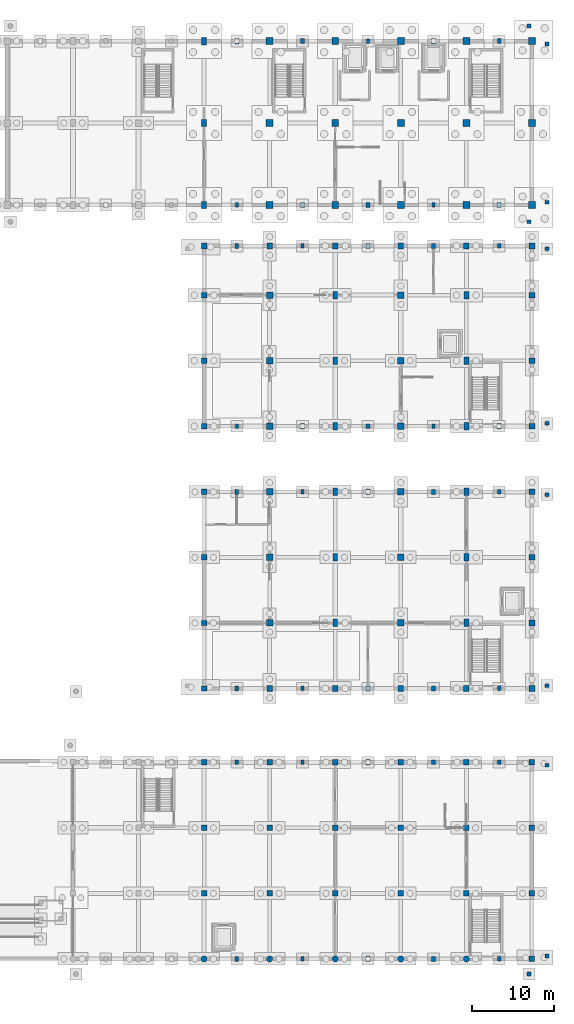
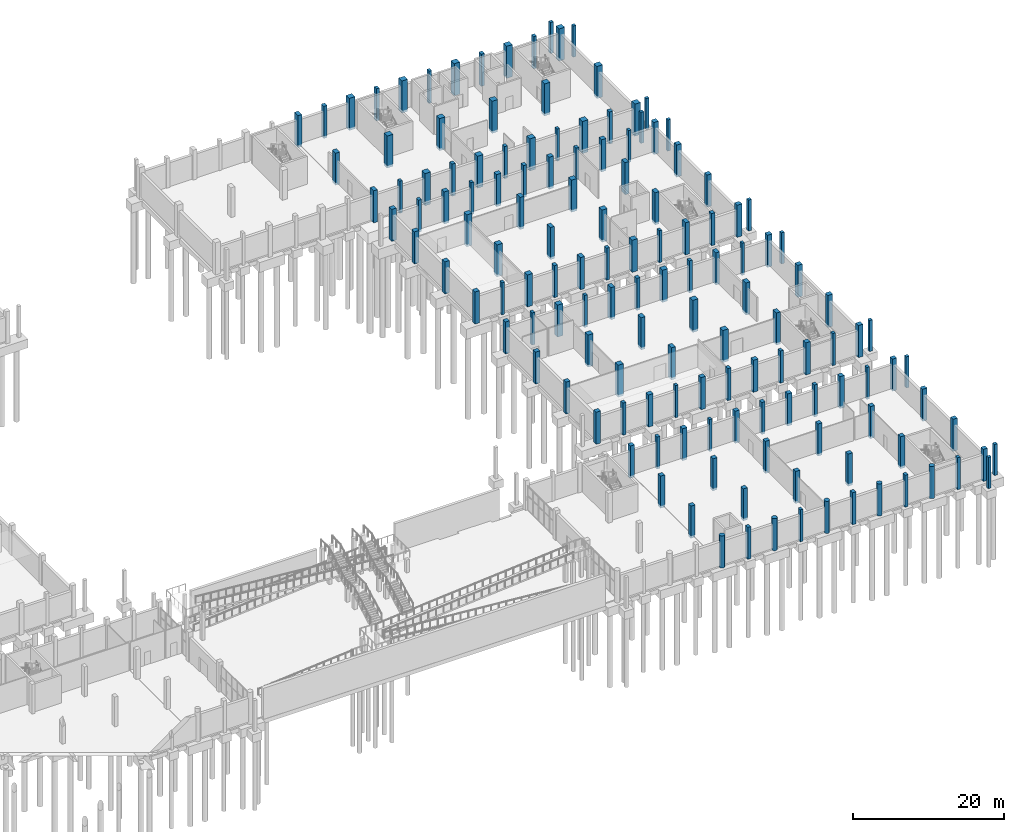
# One storey, part 17 of 52: 141 columns.
"""IFC4 building model written with IfcOpenShell, lengths in metres."""

from ifc_helpers import new_model, si_unit, direction, frame, origin, origin_2d, place, context, subcontext, project, spatial, rectangle, circle, extrude, material, material_profile, profile_set, type_object, element, save


model = new_model("IFC4")

# Units and contexts
model_context = context("Model", 3, precision=1e-05, world=origin(), true_north=direction((0.0, 1.0)))
body_context = subcontext(model_context, "Body", "Model", "MODEL_VIEW")
ifc_project = project(units=[si_unit("LENGTHUNIT", "METRE"), si_unit("AREAUNIT", "SQUARE_METRE"), si_unit("VOLUMEUNIT", "CUBIC_METRE"), si_unit("PLANEANGLEUNIT", "RADIAN"), si_unit("MASSUNIT", "GRAM", prefix="KILO")], contexts=[model_context])

# Site, building, storey
site_placement = place(None, origin())
site = spatial("IfcSite", under=ifc_project, at=site_placement, CompositionType="ELEMENT")
building_placement = place(site_placement, origin())
building = spatial("IfcBuilding", under=site, at=building_placement, Name="Luwemba Playhouse", CompositionType="ELEMENT")
storey_placement = place(building_placement, frame((0.0, 0.0, -4.800048828125)))
storey = spatial("IfcBuildingStorey", under=building, at=storey_placement, Name="B1", CompositionType="ELEMENT", Elevation=-4.800048828125)

# Columns
ifc_material = material(Name="Concrete C40/50", Category="concrete")
ifc_material_profile_1 = material_profile(ifc_material, rectangle(XDim=0.449951171875, YDim=0.449951171875, at=origin_2d()))
ifc_profile_set_1 = profile_set([ifc_material_profile_1], Name="Concrete C40/50")
column_type_1 = type_object("IfcColumnType", Name="COL-C01", PredefinedType="COLUMN", material=ifc_profile_set_1)
for number, where, z_axis, x_axis, name in (
    (1, (171.64990234375, 1.14990234375, -0.3798828125), (0.0, 0.0, 1.0), (1.0, 0.0, 0.0), "Plaza threshold support pier 02-2"),
    (2, (173.85009765625, 3.35009765625, -0.3798828125), (0.0, 0.0, 1.0), (1.0, 0.0, 0.0), "Plaza threshold support pier 06-2"),
    (3, (173.85009765625, 26.64990234375, -0.3798828125), (0.0, 0.0, 1.0), (1.0, 0.0, 0.0), "Plaza threshold support pier 06-3"),
    (4, (173.85009765625, 36.35009765625, -0.3798828125), (0.0, 0.0, 1.0), (1.0, 0.0, 0.0), "Plaza threshold support pier 07-2"),
    (5, (173.85009765625, 59.64990234375, -0.3798828125), (0.0, 0.0, 1.0), (1.0, 0.0, 0.0), "Plaza threshold support pier 07-3"),
    (6, (173.85009765625, 68.35009765625, -0.3798828125), (0.0, 0.0, 1.0), (1.0, 0.0, 0.0), "Plaza threshold support pier 08-2"),
    (7, (173.85009765625, 89.64990234375, -0.3798828125), (0.0, 0.0, 1.0), (1.0, 0.0, 0.0), "Plaza threshold support pier 08-3"),
    (8, (173.85009765625, 95.35009765625, -0.3798828125), (0.0, 0.0, 1.0), (1.0, 0.0, 0.0), "Plaza threshold support pier 09-2"),
    (9, (173.85009765625, 114.64990234375, -0.3798828125), (0.0, 0.0, 1.0), (1.0, 0.0, 0.0), "Plaza threshold support pier 09-3"),
    (10, (171.64990234375, 116.85009765625, -0.3798828125), (0.0, 0.0, 1.0), (1.0, 0.0, 0.0), "Plaza threshold support pier 11-3"),
    (11, (171.64990234375, 92.949951171875, -0.3798828125), (0.0, 0.0, 1.0), (1.0, 0.0, 0.0), "Plaza threshold support pier 17-2"),
):
    element("IfcColumn", number, at=place(storey_placement, frame(where, z_axis=z_axis, x_axis=x_axis)), inside=storey, type_object=column_type_1, Name=name, PredefinedType="COLUMN", context=body_context, shape_type="SweptSolid", body=[
        extrude(rectangle(XDim=0.449951171875, YDim=0.449951171875, at=origin_2d()), origin(), (0.0, 0.0, 1.0), 5.02001953125),
    ])
ifc_material_profile_2 = material_profile(ifc_material, rectangle(XDim=0.64990234375, YDim=0.64990234375, at=origin_2d()))
ifc_profile_set_2 = profile_set([ifc_material_profile_2], Name="Concrete C40/50")
column_type_2 = type_object("IfcColumnType", Name="COL-C05", PredefinedType="COLUMN", material=ifc_profile_set_2)
for number, where, z_axis, x_axis, name in (
    (12, (132.0, 11.0, -0.3798828125), (0.0, 0.0, 1.0), (1.0, 0.0, 0.0), "B1 column 173"),
    (13, (132.0, 19.0, -0.3798828125), (0.0, 0.0, 1.0), (1.0, 0.0, 0.0), "B1 column 174"),
    (14, (132.0, 27.0, -0.3798828125), (0.0, 0.0, 1.0), (1.0, 0.0, 0.0), "B1 column 175"),
    (15, (132.0, 36.0, -0.3798828125), (0.0, 0.0, 1.0), (1.0, 0.0, 0.0), "B1 column 176"),
    (16, (132.0, 44.0, -0.3798828125), (0.0, 0.0, 1.0), (1.0, 0.0, 0.0), "B1 column 177"),
    (17, (132.0, 52.0, -0.3798828125), (0.0, 0.0, 1.0), (1.0, 0.0, 0.0), "B1 column 178"),
    (18, (132.0, 60.0, -0.3798828125), (0.0, 0.0, 1.0), (1.0, 0.0, 0.0), "B1 column 179"),
    (19, (140.0, 11.0, -0.3798828125), (0.0, 0.0, 1.0), (1.0, 0.0, 0.0), "B1 column 196"),
    (20, (140.0, 19.0, -0.3798828125), (0.0, 0.0, 1.0), (1.0, 0.0, 0.0), "B1 column 197"),
    (21, (140.0, 27.0, -0.3798828125), (0.0, 0.0, 1.0), (1.0, 0.0, 0.0), "B1 column 198"),
    (22, (148.0, 11.0, -0.3798828125), (0.0, 0.0, 1.0), (1.0, 0.0, 0.0), "B1 column 219"),
    (23, (148.0, 19.0, -0.3798828125), (0.0, 0.0, 1.0), (1.0, 0.0, 0.0), "B1 column 220"),
    (24, (148.0, 27.0, -0.3798828125), (0.0, 0.0, 1.0), (1.0, 0.0, 0.0), "B1 column 221"),
    (25, (156.0, 11.0, -0.3798828125), (0.0, 0.0, 1.0), (1.0, 0.0, 0.0), "B1 column 242"),
    (26, (156.0, 19.0, -0.3798828125), (0.0, 0.0, 1.0), (1.0, 0.0, 0.0), "B1 column 243"),
    (27, (156.0, 27.0, -0.3798828125), (0.0, 0.0, 1.0), (1.0, 0.0, 0.0), "B1 column 244"),
    (28, (164.0, 11.0, -0.3798828125), (0.0, 0.0, 1.0), (1.0, 0.0, 0.0), "B1 column 265"),
    (29, (164.0, 19.0, -0.3798828125), (0.0, 0.0, 1.0), (1.0, 0.0, 0.0), "B1 column 266"),
    (30, (164.0, 27.0, -0.3798828125), (0.0, 0.0, 1.0), (1.0, 0.0, 0.0), "B1 column 267"),
    (31, (172.0, 3.0, -0.3798828125), (0.0, 0.0, 1.0), (1.0, 0.0, 0.0), "B1 column 287"),
    (32, (172.0, 11.0, -0.3798828125), (0.0, 0.0, 1.0), (1.0, 0.0, 0.0), "B1 column 288"),
    (33, (172.0, 19.0, -0.3798828125), (0.0, 0.0, 1.0), (1.0, 0.0, 0.0), "B1 column 289"),
    (34, (172.0, 27.0, -0.3798828125), (0.0, 0.0, 1.0), (1.0, 0.0, 0.0), "B1 column 290"),
):
    element("IfcColumn", number, at=place(storey_placement, frame(where, z_axis=z_axis, x_axis=x_axis)), inside=storey, type_object=column_type_2, Name=name, PredefinedType="COLUMN", context=body_context, shape_type="SweptSolid", body=[
        extrude(rectangle(XDim=0.64990234375, YDim=0.64990234375, at=origin_2d()), origin(), (0.0, 0.0, 1.0), 5.179931640625),
    ])
ifc_material_profile_3 = material_profile(ifc_material, rectangle(XDim=0.699951171875, YDim=0.699951171875, at=origin_2d()))
ifc_profile_set_3 = profile_set([ifc_material_profile_3], Name="Concrete C40/50")
column_type_3 = type_object("IfcColumnType", Name="COL-C06", PredefinedType="COLUMN", material=ifc_profile_set_3)
for number, where, z_axis, x_axis, name in (
    (35, (132.0, 68.0, -0.3798828125), (0.0, 0.0, 1.0), (1.0, 0.0, 0.0), "B1 column 180"),
    (36, (132.0, 76.0, -0.3798828125), (0.0, 0.0, 1.0), (1.0, 0.0, 0.0), "B1 column 181"),
    (37, (132.0, 84.0, -0.3798828125), (0.0, 0.0, 1.0), (1.0, 0.0, 0.0), "B1 column 182"),
    (38, (132.0, 90.0, -0.3798828125), (0.0, 0.0, 1.0), (1.0, 0.0, 0.0), "B1 column 183"),
    (39, (140.0, 36.0, -0.3798828125), (0.0, 0.0, 1.0), (1.0, 0.0, 0.0), "B1 column 199"),
    (40, (140.0, 90.0, -0.3798828125), (0.0, 0.0, 1.0), (1.0, 0.0, 0.0), "B1 column 206"),
    (41, (148.0, 36.0, -0.3798828125), (0.0, 0.0, 1.0), (1.0, 0.0, 0.0), "B1 column 222"),
    (42, (148.0, 90.0, -0.3798828125), (0.0, 0.0, 1.0), (1.0, 0.0, 0.0), "B1 column 229"),
    (43, (156.0, 36.0, -0.3798828125), (0.0, 0.0, 1.0), (1.0, 0.0, 0.0), "B1 column 245"),
    (44, (156.0, 90.0, -0.3798828125), (0.0, 0.0, 1.0), (1.0, 0.0, 0.0), "B1 column 252"),
    (45, (164.0, 36.0, -0.3798828125), (0.0, 0.0, 1.0), (1.0, 0.0, 0.0), "B1 column 268"),
    (46, (164.0, 90.0, -0.3798828125), (0.0, 0.0, 1.0), (1.0, 0.0, 0.0), "B1 column 275"),
    (47, (172.0, 36.0, -0.3798828125), (0.0, 0.0, 1.0), (1.0, 0.0, 0.0), "B1 column 291"),
    (48, (172.0, 44.0, -0.3798828125), (0.0, 0.0, 1.0), (1.0, 0.0, 0.0), "B1 column 292"),
    (49, (172.0, 52.0, -0.3798828125), (0.0, 0.0, 1.0), (1.0, 0.0, 0.0), "B1 column 293"),
    (50, (172.0, 60.0, -0.3798828125), (0.0, 0.0, 1.0), (1.0, 0.0, 0.0), "B1 column 294"),
    (51, (172.0, 68.0, -0.3798828125), (0.0, 0.0, 1.0), (1.0, 0.0, 0.0), "B1 column 295"),
    (52, (172.0, 76.0, -0.3798828125), (0.0, 0.0, 1.0), (1.0, 0.0, 0.0), "B1 column 296"),
    (53, (172.0, 84.0, -0.3798828125), (0.0, 0.0, 1.0), (1.0, 0.0, 0.0), "B1 column 297"),
    (54, (172.0, 90.0, -0.3798828125), (0.0, 0.0, 1.0), (1.0, 0.0, 0.0), "B1 column 298"),
):
    element("IfcColumn", number, at=place(storey_placement, frame(where, z_axis=z_axis, x_axis=x_axis)), inside=storey, type_object=column_type_3, Name=name, PredefinedType="COLUMN", context=body_context, shape_type="SweptSolid", body=[
        extrude(rectangle(XDim=0.699951171875, YDim=0.699951171875, at=origin_2d()), origin(), (0.0, 0.0, 1.0), 5.179931640625),
    ])
ifc_material_profile_4 = material_profile(ifc_material, rectangle(XDim=0.800048828125, YDim=0.800048828125, at=origin_2d()))
ifc_profile_set_4 = profile_set([ifc_material_profile_4], Name="Concrete C40/50")
column_type_4 = type_object("IfcColumnType", Name="COL-C08", PredefinedType="COLUMN", material=ifc_profile_set_4)
for number, where, z_axis, x_axis, name in (
    (55, (140.0, 44.0, -0.3798828125), (0.0, 0.0, 1.0), (1.0, 0.0, 0.0), "B1 column 200"),
    (56, (140.0, 52.0, -0.3798828125), (0.0, 0.0, 1.0), (1.0, 0.0, 0.0), "B1 column 201"),
    (57, (140.0, 60.0, -0.3798828125), (0.0, 0.0, 1.0), (1.0, 0.0, 0.0), "B1 column 202"),
    (58, (140.0, 68.0, -0.3798828125), (0.0, 0.0, 1.0), (1.0, 0.0, 0.0), "B1 column 203"),
    (59, (140.0, 76.0, -0.3798828125), (0.0, 0.0, 1.0), (1.0, 0.0, 0.0), "B1 column 204"),
    (60, (140.0, 84.0, -0.3798828125), (0.0, 0.0, 1.0), (1.0, 0.0, 0.0), "B1 column 205"),
    (61, (156.0, 44.0, -0.3798828125), (0.0, 0.0, 1.0), (1.0, 0.0, 0.0), "B1 column 246"),
    (62, (156.0, 52.0, -0.3798828125), (0.0, 0.0, 1.0), (1.0, 0.0, 0.0), "B1 column 247"),
    (63, (156.0, 60.0, -0.3798828125), (0.0, 0.0, 1.0), (1.0, 0.0, 0.0), "B1 column 248"),
    (64, (156.0, 68.0, -0.3798828125), (0.0, 0.0, 1.0), (1.0, 0.0, 0.0), "B1 column 249"),
    (65, (156.0, 76.0, -0.3798828125), (0.0, 0.0, 1.0), (1.0, 0.0, 0.0), "B1 column 250"),
    (66, (156.0, 84.0, -0.3798828125), (0.0, 0.0, 1.0), (1.0, 0.0, 0.0), "B1 column 251"),
):
    element("IfcColumn", number, at=place(storey_placement, frame(where, z_axis=z_axis, x_axis=x_axis)), inside=storey, type_object=column_type_4, Name=name, PredefinedType="COLUMN", context=body_context, shape_type="SweptSolid", body=[
        extrude(rectangle(XDim=0.800048828125, YDim=0.800048828125, at=origin_2d()), origin(), (0.0, 0.0, 1.0), 5.179931640625),
    ])
ifc_material_profile_5 = material_profile(ifc_material, rectangle(XDim=0.85009765625, YDim=0.85009765625, at=origin_2d()))
ifc_profile_set_5 = profile_set([ifc_material_profile_5], Name="Concrete C40/50")
column_type_5 = type_object("IfcColumnType", Name="COL-C09", PredefinedType="COLUMN", material=ifc_profile_set_5)
for number, where, z_axis, x_axis, name in (
    (67, (140.0, 95.0, -0.3798828125), (0.0, 0.0, 1.0), (1.0, 0.0, 0.0), "B1 column 207"),
    (68, (140.0, 105.0, -0.3798828125), (0.0, 0.0, 1.0), (1.0, 0.0, 0.0), "B1 column 208"),
    (69, (140.0, 115.0, -0.3798828125), (0.0, 0.0, 1.0), (1.0, 0.0, 0.0), "B1 column 209"),
    (70, (148.0, 95.0, -0.3798828125), (0.0, 0.0, 1.0), (1.0, 0.0, 0.0), "B1 column 230"),
    (71, (148.0, 105.0, -0.3798828125), (0.0, 0.0, 1.0), (1.0, 0.0, 0.0), "B1 column 231"),
    (72, (148.0, 115.0, -0.3798828125), (0.0, 0.0, 1.0), (1.0, 0.0, 0.0), "B1 column 232"),
    (73, (156.0, 95.0, -0.3798828125), (0.0, 0.0, 1.0), (1.0, 0.0, 0.0), "B1 column 253"),
    (74, (156.0, 105.0, -0.3798828125), (0.0, 0.0, 1.0), (1.0, 0.0, 0.0), "B1 column 254"),
    (75, (156.0, 115.0, -0.3798828125), (0.0, 0.0, 1.0), (1.0, 0.0, 0.0), "B1 column 255"),
    (76, (164.0, 95.0, -0.3798828125), (0.0, 0.0, 1.0), (1.0, 0.0, 0.0), "B1 column 276"),
    (77, (164.0, 105.0, -0.3798828125), (0.0, 0.0, 1.0), (1.0, 0.0, 0.0), "B1 column 277"),
    (78, (164.0, 115.0, -0.3798828125), (0.0, 0.0, 1.0), (1.0, 0.0, 0.0), "B1 column 278"),
    (79, (172.0, 95.0, -0.3798828125), (0.0, 0.0, 1.0), (1.0, 0.0, 0.0), "B1 column 299"),
    (80, (172.0, 105.0, -0.3798828125), (0.0, 0.0, 1.0), (1.0, 0.0, 0.0), "B1 column 300"),
    (81, (172.0, 115.0, -0.3798828125), (0.0, 0.0, 1.0), (1.0, 0.0, 0.0), "B1 column 301"),
):
    element("IfcColumn", number, at=place(storey_placement, frame(where, z_axis=z_axis, x_axis=x_axis)), inside=storey, type_object=column_type_5, Name=name, PredefinedType="COLUMN", context=body_context, shape_type="SweptSolid", body=[
        extrude(rectangle(XDim=0.85009765625, YDim=0.85009765625, at=origin_2d()), origin(), (0.0, 0.0, 1.0), 5.179931640625),
    ])
ifc_material_profile_6 = material_profile(ifc_material, rectangle(XDim=0.60009765625, YDim=0.89990234375, at=origin_2d()))
ifc_profile_set_6 = profile_set([ifc_material_profile_6], Name="Concrete C40/50")
column_type_6 = type_object("IfcColumnType", Name="COL-C13", PredefinedType="COLUMN", material=ifc_profile_set_6)
for number, where, z_axis, x_axis, name in (
    (82, (132.0, 95.0, -0.3798828125), (0.0, 0.0, 1.0), (1.0, 0.0, 0.0), "B1 column 184"),
    (83, (132.0, 105.0, -0.3798828125), (0.0, 0.0, 1.0), (1.0, 0.0, 0.0), "B1 column 185"),
    (84, (132.0, 115.0, -0.3798828125), (0.0, 0.0, 1.0), (1.0, 0.0, 0.0), "B1 column 186"),
    (85, (148.0, 44.0, -0.3798828125), (0.0, 0.0, 1.0), (1.0, 0.0, 0.0), "B1 column 223"),
    (86, (148.0, 52.0, -0.3798828125), (0.0, 0.0, 1.0), (1.0, 0.0, 0.0), "B1 column 224"),
    (87, (148.0, 60.0, -0.3798828125), (0.0, 0.0, 1.0), (1.0, 0.0, 0.0), "B1 column 225"),
    (88, (148.0, 68.0, -0.3798828125), (0.0, 0.0, 1.0), (1.0, 0.0, 0.0), "B1 column 226"),
    (89, (148.0, 76.0, -0.3798828125), (0.0, 0.0, 1.0), (1.0, 0.0, 0.0), "B1 column 227"),
    (90, (148.0, 84.0, -0.3798828125), (0.0, 0.0, 1.0), (1.0, 0.0, 0.0), "B1 column 228"),
    (91, (164.0, 44.0, -0.3798828125), (0.0, 0.0, 1.0), (1.0, 0.0, 0.0), "B1 column 269"),
    (92, (164.0, 52.0, -0.3798828125), (0.0, 0.0, 1.0), (1.0, 0.0, 0.0), "B1 column 270"),
    (93, (164.0, 60.0, -0.3798828125), (0.0, 0.0, 1.0), (1.0, 0.0, 0.0), "B1 column 271"),
    (94, (164.0, 68.0, -0.3798828125), (0.0, 0.0, 1.0), (1.0, 0.0, 0.0), "B1 column 272"),
    (95, (164.0, 76.0, -0.3798828125), (0.0, 0.0, 1.0), (1.0, 0.0, 0.0), "B1 column 273"),
    (96, (164.0, 84.0, -0.3798828125), (0.0, 0.0, 1.0), (1.0, 0.0, 0.0), "B1 column 274"),
):
    element("IfcColumn", number, at=place(storey_placement, frame(where, z_axis=z_axis, x_axis=x_axis)), inside=storey, type_object=column_type_6, Name=name, PredefinedType="COLUMN", context=body_context, shape_type="SweptSolid", body=[
        extrude(rectangle(XDim=0.60009765625, YDim=0.89990234375, at=origin_2d()), origin(), (0.0, 0.0, 1.0), 5.179931640625),
    ])
ifc_material_profile_7 = material_profile(ifc_material, circle(Radius=0.375, at=origin_2d()))
ifc_profile_set_7 = profile_set([ifc_material_profile_7], Name="Concrete C40/50")
column_type_7 = type_object("IfcColumnType", Name="COL-C15", PredefinedType="COLUMN", material=ifc_profile_set_7)
for number, where, z_axis, x_axis, name in (
    (97, (132.0, 3.0, -0.3798828125), (0.0, 0.0, 1.0), (1.0, 0.0, 0.0), "B1 column 172"),
    (98, (140.0, 3.0, -0.3798828125), (0.0, 0.0, 1.0), (1.0, 0.0, 0.0), "B1 column 195"),
    (99, (148.0, 3.0, -0.3798828125), (0.0, 0.0, 1.0), (1.0, 0.0, 0.0), "B1 column 218"),
    (100, (156.0, 3.0, -0.3798828125), (0.0, 0.0, 1.0), (1.0, 0.0, 0.0), "B1 column 241"),
    (101, (164.0, 3.0, -0.3798828125), (0.0, 0.0, 1.0), (1.0, 0.0, 0.0), "B1 column 264"),
):
    element("IfcColumn", number, at=place(storey_placement, frame(where, z_axis=z_axis, x_axis=x_axis)), inside=storey, type_object=column_type_7, Name=name, PredefinedType="COLUMN", context=body_context, shape_type="SweptSolid", body=[
        extrude(circle(Radius=0.375, at=origin_2d()), origin(), (0.0, 0.0, 1.0), 5.179931640625),
    ])
ifc_material_profile_8 = material_profile(ifc_material, rectangle(XDim=0.39990234375, YDim=0.550048828125, at=origin_2d()))
ifc_profile_set_8 = profile_set([ifc_material_profile_8], Name="Concrete C40/50")
column_type_8 = type_object("IfcColumnType", Name="COL-PIL1", PredefinedType="PILASTER", material=ifc_profile_set_8)
for number, where, z_axis, x_axis, name in (
    (102, (136.0, 68.0, -0.3798828125), (0.0, 0.0, 1.0), (1.0, 0.0, 0.0), "B1 column 191"),
    (103, (136.0, 95.0, -0.3798828125), (0.0, 0.0, 1.0), (1.0, 0.0, 0.0), "B1 column 193"),
    (104, (144.0, 3.0, -0.3798828125), (0.0, 0.0, 1.0), (1.0, 0.0, 0.0), "B1 column 210"),
    (105, (144.0, 27.0, -0.3798828125), (0.0, 0.0, 1.0), (1.0, 0.0, 0.0), "B1 column 211"),
    (106, (144.0, 36.0, -0.3798828125), (0.0, 0.0, 1.0), (1.0, 0.0, 0.0), "B1 column 212"),
    (107, (144.0, 60.0, -0.3798828125), (0.0, 0.0, 1.0), (1.0, 0.0, 0.0), "B1 column 213"),
    (108, (144.0, 90.0, -0.3798828125), (0.0, 0.0, 1.0), (1.0, 0.0, 0.0), "B1 column 215"),
    (109, (152.0, 115.0, -0.3798828125), (0.0, 0.0, 1.0), (1.0, 0.0, 0.0), "B1 column 240"),
    (110, (160.0, 68.0, -0.3798828125), (0.0, 0.0, 1.0), (1.0, 0.0, 0.0), "B1 column 260"),
    (111, (160.0, 95.0, -0.3798828125), (0.0, 0.0, 1.0), (1.0, 0.0, 0.0), "B1 column 262"),
    (112, (168.0, 3.0, -0.3798828125), (0.0, 0.0, 1.0), (1.0, 0.0, 0.0), "B1 column 279"),
    (113, (168.0, 27.0, -0.3798828125), (0.0, 0.0, 1.0), (1.0, 0.0, 0.0), "B1 column 280"),
    (114, (168.0, 36.0, -0.3798828125), (0.0, 0.0, 1.0), (1.0, 0.0, 0.0), "B1 column 281"),
    (115, (168.0, 60.0, -0.3798828125), (0.0, 0.0, 1.0), (1.0, 0.0, 0.0), "B1 column 282"),
    (116, (168.0, 90.0, -0.3798828125), (0.0, 0.0, 1.0), (1.0, 0.0, 0.0), "B1 column 284"),
):
    element("IfcColumn", number, at=place(storey_placement, frame(where, z_axis=z_axis, x_axis=x_axis)), inside=storey, type_object=column_type_8, Name=name, PredefinedType="PILASTER", context=body_context, shape_type="SweptSolid", body=[
        extrude(rectangle(XDim=0.39990234375, YDim=0.550048828125, at=origin_2d()), origin(), (0.0, 0.0, 1.0), 5.179931640625),
    ])
ifc_material_profile_9 = material_profile(ifc_material, rectangle(XDim=0.449951171875, YDim=0.60009765625, at=origin_2d()))
ifc_profile_set_9 = profile_set([ifc_material_profile_9], Name="Concrete C40/50")
column_type_9 = type_object("IfcColumnType", Name="COL-PIL2", PredefinedType="PILASTER", material=ifc_profile_set_9)
for number, where, z_axis, x_axis, name in (
    (117, (136.0, 3.0, -0.3798828125), (0.0, 0.0, 1.0), (1.0, 0.0, 0.0), "B1 column 187"),
    (118, (136.0, 27.0, -0.3798828125), (0.0, 0.0, 1.0), (1.0, 0.0, 0.0), "B1 column 188"),
    (119, (136.0, 36.0, -0.3798828125), (0.0, 0.0, 1.0), (1.0, 0.0, 0.0), "B1 column 189"),
    (120, (136.0, 60.0, -0.3798828125), (0.0, 0.0, 1.0), (1.0, 0.0, 0.0), "B1 column 190"),
    (121, (136.0, 90.0, -0.3798828125), (0.0, 0.0, 1.0), (1.0, 0.0, 0.0), "B1 column 192"),
    (122, (144.0, 115.0, -0.3798828125), (0.0, 0.0, 1.0), (1.0, 0.0, 0.0), "B1 column 217"),
    (123, (152.0, 68.0, -0.3798828125), (0.0, 0.0, 1.0), (1.0, 0.0, 0.0), "B1 column 237"),
    (124, (152.0, 95.0, -0.3798828125), (0.0, 0.0, 1.0), (1.0, 0.0, 0.0), "B1 column 239"),
    (125, (160.0, 3.0, -0.3798828125), (0.0, 0.0, 1.0), (1.0, 0.0, 0.0), "B1 column 256"),
    (126, (160.0, 27.0, -0.3798828125), (0.0, 0.0, 1.0), (1.0, 0.0, 0.0), "B1 column 257"),
    (127, (160.0, 36.0, -0.3798828125), (0.0, 0.0, 1.0), (1.0, 0.0, 0.0), "B1 column 258"),
    (128, (160.0, 60.0, -0.3798828125), (0.0, 0.0, 1.0), (1.0, 0.0, 0.0), "B1 column 259"),
    (129, (160.0, 90.0, -0.3798828125), (0.0, 0.0, 1.0), (1.0, 0.0, 0.0), "B1 column 261"),
    (130, (168.0, 115.0, -0.3798828125), (0.0, 0.0, 1.0), (1.0, 0.0, 0.0), "B1 column 286"),
):
    element("IfcColumn", number, at=place(storey_placement, frame(where, z_axis=z_axis, x_axis=x_axis)), inside=storey, type_object=column_type_9, Name=name, PredefinedType="PILASTER", context=body_context, shape_type="SweptSolid", body=[
        extrude(rectangle(XDim=0.449951171875, YDim=0.60009765625, at=origin_2d()), origin(), (0.0, 0.0, 1.0), 5.179931640625),
    ])
ifc_material_profile_10 = material_profile(ifc_material, rectangle(XDim=0.5, YDim=0.64990234375, at=origin_2d()))
ifc_profile_set_10 = profile_set([ifc_material_profile_10], Name="Concrete C40/50")
column_type_10 = type_object("IfcColumnType", Name="COL-PIL3", PredefinedType="PILASTER", material=ifc_profile_set_10)
for number, where, z_axis, x_axis, name in (
    (131, (136.0, 115.0, -0.3798828125), (0.0, 0.0, 1.0), (1.0, 0.0, 0.0), "B1 column 194"),
    (132, (144.0, 68.0, -0.3798828125), (0.0, 0.0, 1.0), (1.0, 0.0, 0.0), "B1 column 214"),
    (133, (144.0, 95.0, -0.3798828125), (0.0, 0.0, 1.0), (1.0, 0.0, 0.0), "B1 column 216"),
    (134, (152.0, 3.0, -0.3798828125), (0.0, 0.0, 1.0), (1.0, 0.0, 0.0), "B1 column 233"),
    (135, (152.0, 27.0, -0.3798828125), (0.0, 0.0, 1.0), (1.0, 0.0, 0.0), "B1 column 234"),
    (136, (152.0, 36.0, -0.3798828125), (0.0, 0.0, 1.0), (1.0, 0.0, 0.0), "B1 column 235"),
    (137, (152.0, 60.0, -0.3798828125), (0.0, 0.0, 1.0), (1.0, 0.0, 0.0), "B1 column 236"),
    (138, (152.0, 90.0, -0.3798828125), (0.0, 0.0, 1.0), (1.0, 0.0, 0.0), "B1 column 238"),
    (139, (160.0, 115.0, -0.3798828125), (0.0, 0.0, 1.0), (1.0, 0.0, 0.0), "B1 column 263"),
    (140, (168.0, 68.0, -0.3798828125), (0.0, 0.0, 1.0), (1.0, 0.0, 0.0), "B1 column 283"),
    (141, (168.0, 95.0, -0.3798828125), (0.0, 0.0, 1.0), (1.0, 0.0, 0.0), "B1 column 285"),
):
    element("IfcColumn", number, at=place(storey_placement, frame(where, z_axis=z_axis, x_axis=x_axis)), inside=storey, type_object=column_type_10, Name=name, PredefinedType="PILASTER", context=body_context, shape_type="SweptSolid", body=[
        extrude(rectangle(XDim=0.5, YDim=0.64990234375, at=origin_2d()), origin(), (0.0, 0.0, 1.0), 5.179931640625),
    ])

save(model, "model.ifc")
